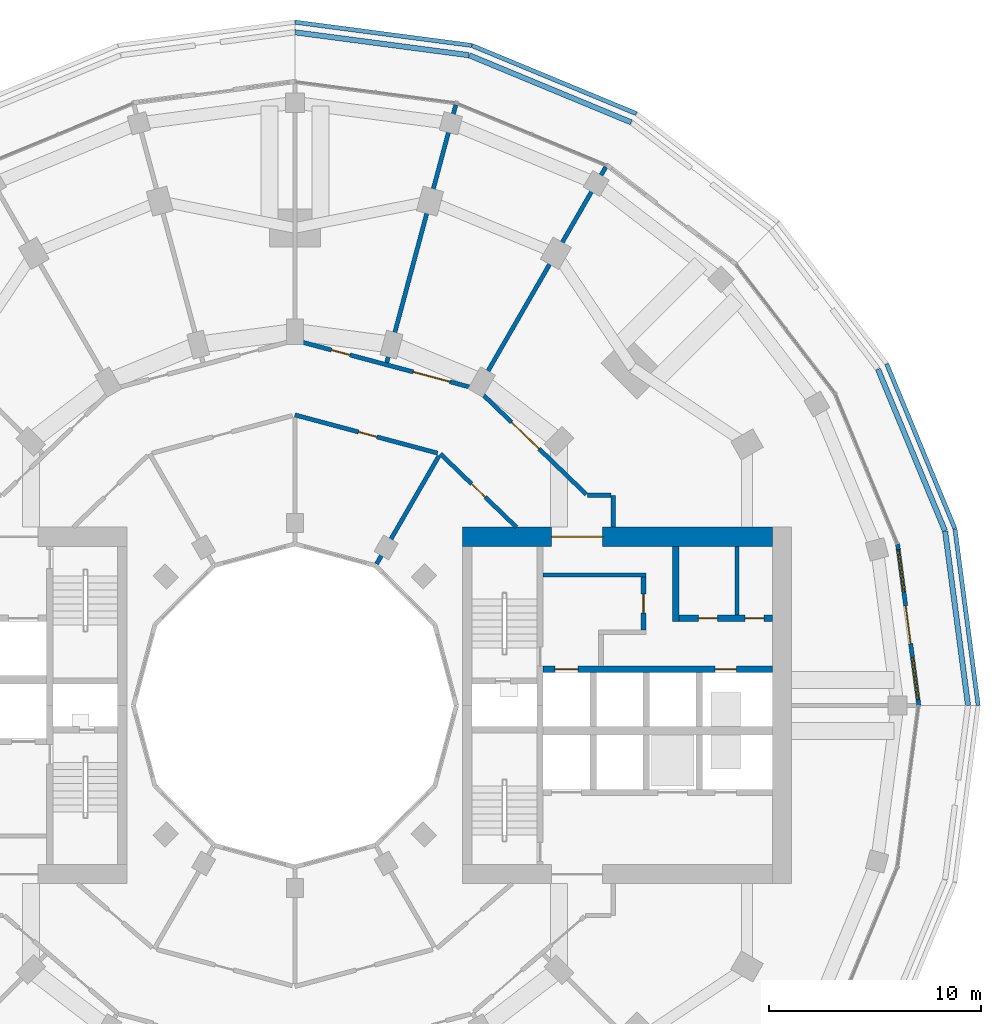
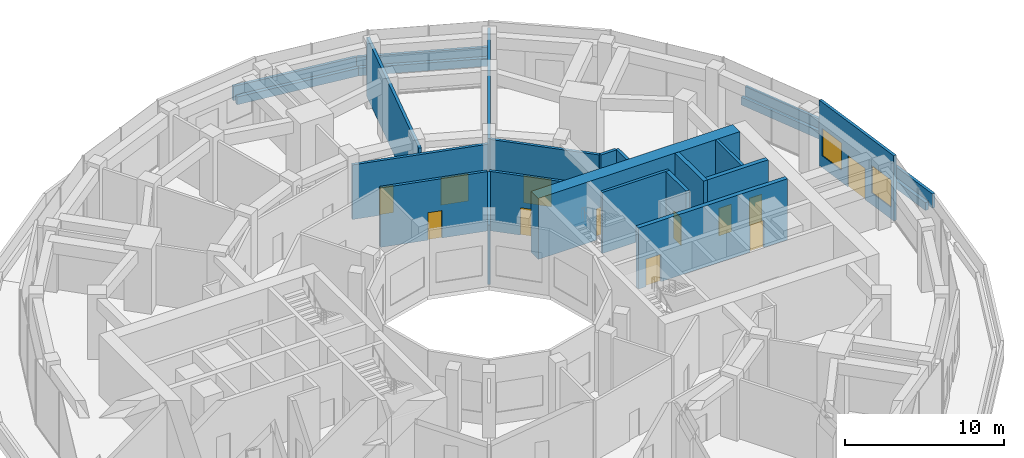
# One storey, part 16 of 19: 25 walls, 12 doors, 2 windows, 14 openings.
"""IFC4 building model written with IfcOpenShell, lengths in metres."""

import ifcopenshell
import ifcopenshell.guid

model = None  # the IFC model being written
_history = None  # IfcOwnerHistory: only IFC2X3 demands one
_inside = {}  # id of a spatial element -> (the spatial element, [elements in it])
_under = {}  # id of a project, library or spatial element -> (it, [spatial elements below it])
_declared = {}  # id of a project -> (the project, [libraries it declares])
_typed = {}  # id of a type object -> (the type object, [elements of that type])
_made_of = {}  # id of a material, layer set ... -> (it, [elements and type objects made of it])


def new_model(schema):
    """Start an empty IFC model of exactly this schema.

    Asked for "IFC4X3", IfcOpenShell would pick the latest addendum, in which some entities
    have other attributes; the version numbers below select the first issue.
    IFC2X3 requires an IfcOwnerHistory on every rooted entity: one is made here for all.
    """
    global model, _history
    if schema == "IFC4X3":
        model = ifcopenshell.file(schema_version=(4, 3, 0, 0))
    else:
        model = ifcopenshell.file(schema=schema)
    _inside.clear()
    _under.clear()
    _declared.clear()
    _typed.clear()
    _made_of.clear()
    _history = None
    if model.schema == "IFC2X3":
        org = make("IfcOrganization", Name="unknown")
        user = make(
            "IfcPersonAndOrganization",
            ThePerson=make("IfcPerson", FamilyName="unknown"),
            TheOrganization=org,
        )
        app = make(
            "IfcApplication",
            ApplicationDeveloper=org,
            Version="unknown",
            ApplicationFullName="unknown",
            ApplicationIdentifier="unknown",
        )
        _history = make(
            "IfcOwnerHistory",
            OwningUser=user,
            OwningApplication=app,
            ChangeAction="ADDED",
            CreationDate=0,
        )
    return model


def make(cls, **values):
    """One entity of the class cls with the attributes given. An attribute that is None is left unset."""
    return model.create_entity(
        cls, **{name: value for name, value in values.items() if value is not None}
    )


def rooted(cls, **values):
    """An entity with a GlobalId (a new one), such as an element, a storey or a relation."""
    return make(cls, GlobalId=ifcopenshell.guid.new(), OwnerHistory=_history, **values)


def si_unit(unit_type, name, prefix=None):
    """IfcSIUnit, for example si_unit("LENGTHUNIT", "METRE", prefix="MILLI")."""
    return make("IfcSIUnit", UnitType=unit_type, Prefix=prefix, Name=name)


def assignment(units):
    """IfcUnitAssignment: the units of a project."""
    return None if units is None else make("IfcUnitAssignment", Units=units)


def point(xyz):
    """IfcCartesianPoint."""
    return None if xyz is None else make("IfcCartesianPoint", Coordinates=xyz)


def direction(xyz):
    """IfcDirection."""
    return None if xyz is None else make("IfcDirection", DirectionRatios=xyz)


def frame(location, z_axis=None, x_axis=None):
    """IfcAxis2Placement3D, a coordinate frame: its origin and axes. An axis left out is left unset."""
    return make(
        "IfcAxis2Placement3D",
        Location=point(location),
        Axis=direction(z_axis),
        RefDirection=direction(x_axis),
    )


def frame_2d(location, x_axis=None):
    """IfcAxis2Placement2D, a coordinate frame in the plane: its origin and x axis."""
    return make(
        "IfcAxis2Placement2D", Location=point(location), RefDirection=direction(x_axis)
    )


def origin():
    """The frame at (0, 0, 0) with its axes left unset."""
    return frame((0.0, 0.0, 0.0))


def place(relative_to, where):
    """IfcLocalPlacement: puts the frame where relative to a parent placement (None: the world)."""
    return make(
        "IfcLocalPlacement", PlacementRelTo=relative_to, RelativePlacement=where
    )


def context(
    kind, dimensions, precision=None, world=None, true_north=None, identifier=None
):
    """IfcGeometricRepresentationContext, for example the 3D "Model" context."""
    return make(
        "IfcGeometricRepresentationContext",
        ContextIdentifier=identifier,
        ContextType=kind,
        CoordinateSpaceDimension=dimensions,
        Precision=precision,
        WorldCoordinateSystem=world,
        TrueNorth=true_north,
    )


def subcontext(parent, identifier, kind, view, scale=None):
    """IfcGeometricRepresentationSubContext, for example "Body" below "Model"."""
    return make(
        "IfcGeometricRepresentationSubContext",
        ContextIdentifier=identifier,
        ContextType=kind,
        ParentContext=parent,
        TargetScale=scale,
        TargetView=view,
    )


def project(units=None, contexts=None):
    """IfcProject with its units and contexts."""
    return rooted(
        "IfcProject",
        Name="project",
        RepresentationContexts=contexts,
        UnitsInContext=assignment(units),
    )


def spatial(cls, under=None, at=None, **own):
    """A site, building, storey or space (cls), placed at a placement, below another one or the project."""
    s = rooted(cls, ObjectPlacement=at, **own)
    if under is not None:
        _under.setdefault(under.id(), (under, []))[1].append(s)
    return s


def profile(cls, at=None, kind="AREA", **sizes):
    """A parametric profile (cls). Its sizes go by their IFC names, for example OverallWidth=200.0."""
    return make(cls, ProfileType=kind, Position=at, **sizes)


def rectangle(**sizes):
    """IfcRectangleProfileDef."""
    return profile("IfcRectangleProfileDef", **sizes)


def extrude(swept, where, along, depth):
    """IfcExtrudedAreaSolid: the profile swept, set in the frame where, extruded along a direction by depth."""
    return make(
        "IfcExtrudedAreaSolid",
        SweptArea=swept,
        Position=where,
        ExtrudedDirection=direction(along),
        Depth=depth,
    )


def shape(context_of_items, identifier, shape_type, items):
    """IfcShapeRepresentation: the items that make up one representation, for example the "Body"."""
    return make(
        "IfcShapeRepresentation",
        ContextOfItems=context_of_items,
        RepresentationIdentifier=identifier,
        RepresentationType=shape_type,
        Items=items,
    )


def material(Name=None, Category=None):
    """IfcMaterial."""
    return make("IfcMaterial", Name=Name, Category=Category)


def layer(
    of_material, thickness, ventilated=None, Name=None, Category=None, Priority=None
):
    """IfcMaterialLayer: one layer of a wall or slab, of a material (None: an air gap)."""
    return make(
        "IfcMaterialLayer",
        Material=of_material,
        LayerThickness=thickness,
        IsVentilated=ventilated,
        Name=Name,
        Category=Category,
        Priority=Priority,
    )


def layer_set(layers, Name=None):
    """IfcMaterialLayerSet."""
    return make("IfcMaterialLayerSet", MaterialLayers=layers, LayerSetName=Name)


def made_of(thing, what):
    """Note that an element or type object is made of a material, layer set ...; save() writes the relation."""
    if what is not None:
        _made_of.setdefault(what.id(), (what, []))[1].append(thing)
    return thing


def type_object(cls, material=None, **own):
    """A type object (cls), such as IfcWallType, which elements share."""
    return made_of(rooted(cls, **own), material)


def element(
    cls,
    number,
    at=None,
    inside=None,
    cuts=None,
    type_object=None,
    material=None,
    context=None,
    identifier="Body",
    shape_type=None,
    held_by="IfcProductDefinitionShape",
    body=None,
    shapes=None,
    **own,
):
    """One element of the class cls, such as IfcWall. Its Tag is "e" and its number.

    at: its placement. inside: the storey or other place that contains it. cuts: it is an
    opening in that element (IfcRelVoidsElement). A single representation is given by context,
    identifier, shape_type and body (its items); several are given by shapes. held_by: the class
    of the entity that holds the representations. save() writes the other relations.
    """
    e = rooted(cls, Tag="e%d" % number, ObjectPlacement=at, **own)
    if body is not None:
        shapes = [shape(context, identifier, shape_type, body)]
    if shapes is not None:
        e.Representation = make(held_by, Representations=shapes)
    if inside is not None:
        _inside.setdefault(inside.id(), (inside, []))[1].append(e)
    if cuts is not None:
        rooted(
            "IfcRelVoidsElement", RelatingBuildingElement=cuts, RelatedOpeningElement=e
        )
    if type_object is not None:
        _typed.setdefault(type_object.id(), (type_object, []))[1].append(e)
    return made_of(e, material)


def fill(opening, filler):
    """IfcRelFillsElement: the door or window that sits in an opening."""
    return rooted(
        "IfcRelFillsElement",
        RelatingOpeningElement=opening,
        RelatedBuildingElement=filler,
    )


def aggregate(whole, parts):
    """IfcRelAggregates: a whole, such as a stair, and the parts it consists of."""
    return rooted("IfcRelAggregates", RelatingObject=whole, RelatedObjects=parts)


def save(model, path):
    """Write the relations noted so far, then the file.

    IfcRelAggregates (storeys below a building ...), IfcRelContainedInSpatialStructure (elements
    in a storey), IfcRelDefinesByType, IfcRelAssociatesMaterial and IfcRelDeclares: one each for
    every whole, place, type object, material and project.
    """
    for whole, parts in _under.values():
        aggregate(whole, parts)
    for where, things in _inside.values():
        rooted(
            "IfcRelContainedInSpatialStructure",
            RelatedElements=things,
            RelatingStructure=where,
        )
    for kind, things in _typed.values():
        rooted("IfcRelDefinesByType", RelatedObjects=things, RelatingType=kind)
    for what, things in _made_of.values():
        rooted("IfcRelAssociatesMaterial", RelatedObjects=things, RelatingMaterial=what)
    for by, libraries in _declared.values():
        rooted("IfcRelDeclares", RelatingContext=by, RelatedDefinitions=libraries)
    model.write(path)


model = new_model("IFC4")

# Units and contexts
model_context = context("Model", 3, precision=1e-05, world=origin(), true_north=direction((0.0, 1.0)))
body_context = subcontext(model_context, "Body", "Model", "MODEL_VIEW")
ifc_project = project(units=[si_unit("LENGTHUNIT", "METRE"), si_unit("AREAUNIT", "SQUARE_METRE"), si_unit("VOLUMEUNIT", "CUBIC_METRE"), si_unit("PLANEANGLEUNIT", "RADIAN"), si_unit("MASSUNIT", "GRAM", prefix="KILO")], contexts=[model_context])

# Site, building, storey
site_placement = place(None, origin())
site = spatial("IfcSite", under=ifc_project, at=site_placement, CompositionType="ELEMENT")
building_placement = place(site_placement, origin())
building = spatial("IfcBuilding", under=site, at=building_placement, Name="Torre Brocal", CompositionType="ELEMENT")
storey_placement = place(building_placement, frame((0.0, 0.0, 23.800048828125)))
storey = spatial("IfcBuildingStorey", under=building, at=storey_placement, Name="L04", CompositionType="ELEMENT", Elevation=23.800048828125)

# Walls
ifc_material_1 = material(Name="Masonry block", Category="masonry")
ifc_layer_1 = layer(ifc_material_1, 0.199951171875)
ifc_layer_set_1 = layer_set([ifc_layer_1], Name="Masonry block")
wall_type_1 = type_object("IfcWallType", Name="CORE PARTITION 200", PredefinedType="PARTITIONING", material=ifc_layer_set_1)
wall_1_placement = place(storey_placement, frame((100.827880859375, 79.25, 0.0), z_axis=(0.0, 0.0, 1.0), x_axis=(0.0, 1.0, 0.0)))
element("IfcWall", 1, at=wall_1_placement, inside=storey, type_object=wall_type_1, Name="Wall CP200", PredefinedType="PARTITIONING", context=body_context, shape_type="SweptSolid", body=[
    extrude(rectangle(XDim=3.25, YDim=0.199951171875, at=frame_2d((1.625, 0.0))), origin(), (0.0, 0.0, 1.0), 4.679931640625),
])
ifc_material_2 = material(Name="Concrete C80", Category="concrete")
ifc_layer_2 = layer(ifc_material_2, 0.199951171875)
ifc_layer_set_2 = layer_set([ifc_layer_2], Name="Concrete C80")
wall_type_2 = type_object("IfcWallType", Name="CORE WALL 200 C80", PredefinedType="SHEAR", material=ifc_layer_set_2)
wall_2_placement = place(storey_placement, frame((91.699951171875, 81.14990234375, 0.0), z_axis=(0.0, 0.0, 1.0), x_axis=(1.0, 0.0, 0.0)))
element("IfcWall", 2, at=wall_2_placement, inside=storey, type_object=wall_type_2, Name="Wall CW200-80", PredefinedType="SHEAR", context=body_context, shape_type="SweptSolid", body=[
    extrude(rectangle(XDim=4.85009765625, YDim=0.199951171875, at=frame_2d((2.425048828125, 0.0))), origin(), (0.0, 0.0, 1.0), 4.679931640625),
])

# Wall, opening, door
ifc_material_3 = material(Name="Concrete C80", Category="concrete")
ifc_layer_3 = layer(ifc_material_3, 0.25)
ifc_layer_set_3 = layer_set([ifc_layer_3], Name="Concrete C80")
wall_type_3 = type_object("IfcWallType", Name="CORE WALL 250 C80", PredefinedType="SHEAR", material=ifc_layer_set_3)
wall_3_placement = place(storey_placement, frame((96.425048828125, 78.550048828125, 0.0), z_axis=(0.0, 0.0, 1.0), x_axis=(0.0, 1.0, 0.0)))
wall_3 = element("IfcWall", 3, at=wall_3_placement, inside=storey, type_object=wall_type_3, Name="Wall CW250-80", PredefinedType="SHEAR", context=body_context, shape_type="SweptSolid", body=[
    extrude(rectangle(XDim=2.5, YDim=0.25, at=frame_2d((1.25, 0.0))), origin(), (0.0, 0.0, 1.0), 4.679931640625),
])
opening_1_placement = place(wall_3_placement, frame((0.800048828125, 0.0, 0.0)))
opening_1 = element("IfcOpeningElement", 4, at=opening_1_placement, cuts=wall_3, Name="Opening E-D15", PredefinedType="OPENING", context=body_context, shape_type="SweptSolid", body=[
    extrude(rectangle(XDim=0.89990234375, YDim=2.10009765625, at=frame_2d((0.449951171875, 1.050048828125))), frame((0.0, 0.135009765625, 0.0), z_axis=(0.0, -1.0, 0.0), x_axis=(1.0, 0.0, 0.0)), (0.0, 0.0, 1.0), 0.27001953125),
])
ifc_material_4 = material(Name="Steel A653", Category="steel")
door_type_1 = type_object("IfcDoorType", Name="LOBBY DOOR FD120 900X2100", OperationType="SINGLE_SWING_RIGHT", PredefinedType="DOOR", material=ifc_material_4)
door_1_placement = place(opening_1_placement, origin())
door_1 = element("IfcDoor", 5, at=door_1_placement, inside=storey, type_object=door_type_1, Name="Door E-D15", OperationType="SINGLE_SWING_LEFT", OverallHeight=2.10009765625, OverallWidth=0.89990234375, PredefinedType="DOOR", context=body_context, shape_type="SweptSolid", body=[
    extrude(rectangle(XDim=0.89990234375, YDim=2.10009765625, at=frame_2d((0.449951171875, 1.050048828125))), frame((0.0, 0.02490234375, 0.0), z_axis=(0.0, -1.0, 0.0), x_axis=(1.0, 0.0, 0.0)), (0.0, 0.0, 1.0), 0.050048828125),
])
fill(opening_1, door_1)

# Wall, openings, doors
ifc_material_5 = material(Name="Concrete C80", Category="concrete")
ifc_layer_4 = layer(ifc_material_5, 0.300048828125)
ifc_layer_set_4 = layer_set([ifc_layer_4], Name="Concrete C80")
wall_type_4 = type_object("IfcWallType", Name="CORE WALL 300 C80", PredefinedType="SHEAR", material=ifc_layer_set_4)
wall_4_placement = place(storey_placement, frame((91.699951171875, 76.699951171875, 0.0), z_axis=(0.0, 0.0, 1.0), x_axis=(1.0, 0.0, 0.0)))
wall_4 = element("IfcWall", 6, at=wall_4_placement, inside=storey, type_object=wall_type_4, Name="Wall CW300-80", PredefinedType="SHEAR", context=body_context, shape_type="SweptSolid", body=[
    extrude(rectangle(XDim=10.800048828125, YDim=0.300048828125, at=frame_2d((5.39990234375, 0.0))), origin(), (0.0, 0.0, 1.0), 4.679931640625),
])
opening_2_placement = place(wall_4_placement, frame((0.550048828125, 0.0, 0.0)))
opening_2 = element("IfcOpeningElement", 7, at=opening_2_placement, cuts=wall_4, Name="Opening LD", PredefinedType="OPENING", context=body_context, shape_type="SweptSolid", body=[
    extrude(rectangle(XDim=1.10009765625, YDim=2.10009765625, at=frame_2d((0.550048828125, 1.050048828125))), frame((0.0, 0.159912109375, 0.0), z_axis=(0.0, -1.0, 0.0), x_axis=(1.0, 0.0, 0.0)), (0.0, 0.0, 1.0), 0.320068359375),
])
opening_3_placement = place(wall_4_placement, frame((8.10009765625, 0.0, 0.0)))
opening_3 = element("IfcOpeningElement", 8, at=opening_3_placement, cuts=wall_4, Name="Opening LD10", PredefinedType="OPENING", context=body_context, shape_type="SweptSolid", body=[
    extrude(rectangle(XDim=1.0, YDim=2.10009765625, at=frame_2d((0.5, 1.050048828125))), frame((0.0, 0.159912109375, 0.0), z_axis=(0.0, -1.0, 0.0), x_axis=(1.0, 0.0, 0.0)), (0.0, 0.0, 1.0), 0.320068359375),
])
ifc_material_6 = material(Name="Stainless steel AISI 316", Category="steel")
door_type_2 = type_object("IfcDoorType", Name="LIFT LANDING DOOR 1000X2100", OperationType="DOUBLE_DOOR_SLIDING", PredefinedType="DOOR", material=ifc_material_6)
door_2_placement = place(opening_3_placement, origin())
door_2 = element("IfcDoor", 9, at=door_2_placement, inside=storey, type_object=door_type_2, Name="Door LD10", OperationType="DOUBLE_DOOR_SLIDING", OverallHeight=2.10009765625, OverallWidth=1.0, PredefinedType="DOOR", context=body_context, shape_type="SweptSolid", body=[
    extrude(rectangle(XDim=1.0, YDim=2.10009765625, at=frame_2d((0.5, 1.050048828125))), frame((0.0, 0.02490234375, 0.0), z_axis=(0.0, -1.0, 0.0), x_axis=(1.0, 0.0, 0.0)), (0.0, 0.0, 1.0), 0.050048828125),
])
fill(opening_3, door_2)
ifc_material_7 = material(Name="Stainless steel AISI 316", Category="steel")
door_type_3 = type_object("IfcDoorType", Name="LIFT LANDING DOOR 1100X2100", OperationType="DOUBLE_DOOR_SLIDING", PredefinedType="DOOR", material=ifc_material_7)
door_3_placement = place(opening_2_placement, origin())
door_3 = element("IfcDoor", 10, at=door_3_placement, inside=storey, type_object=door_type_3, Name="Door LD", OperationType="DOUBLE_DOOR_SLIDING", OverallHeight=2.10009765625, OverallWidth=1.10009765625, PredefinedType="DOOR", context=body_context, shape_type="SweptSolid", body=[
    extrude(rectangle(XDim=1.10009765625, YDim=2.10009765625, at=frame_2d((0.550048828125, 1.050048828125))), frame((0.0, 0.02490234375, 0.0), z_axis=(0.0, -1.0, 0.0), x_axis=(1.0, 0.0, 0.0)), (0.0, 0.0, 1.0), 0.050048828125),
])
fill(opening_2, door_3)

# Wall
wall_5_placement = place(storey_placement, frame((97.949951171875, 78.949951171875, 0.0), z_axis=(0.0, 0.0, 1.0), x_axis=(0.0, 1.0, 0.0)))
element("IfcWall", 11, at=wall_5_placement, inside=storey, type_object=wall_type_4, Name="Wall CW300-80", PredefinedType="SHEAR", context=body_context, shape_type="SweptSolid", body=[
    extrude(rectangle(XDim=3.550048828125, YDim=0.300048828125, at=frame_2d((1.77490234375, 0.0))), origin(), (0.0, 0.0, 1.0), 4.679931640625),
])

# Wall, openings, doors
wall_6_placement = place(storey_placement, frame((98.10009765625, 79.10009765625, 0.0), z_axis=(0.0, 0.0, 1.0), x_axis=(1.0, 0.0, 0.0)))
wall_6 = element("IfcWall", 12, at=wall_6_placement, inside=storey, type_object=wall_type_4, Name="Wall CW300-80", PredefinedType="SHEAR", context=body_context, shape_type="SweptSolid", body=[
    extrude(rectangle(XDim=4.39990234375, YDim=0.300048828125, at=frame_2d((2.199951171875, 0.0))), origin(), (0.0, 0.0, 1.0), 4.679931640625),
])
opening_4_placement = place(wall_6_placement, frame((0.9140625, 0.0, 0.0)))
opening_4 = element("IfcOpeningElement", 13, at=opening_4_placement, cuts=wall_6, Name="Opening E-D05", PredefinedType="OPENING", context=body_context, shape_type="SweptSolid", body=[
    extrude(rectangle(XDim=0.89990234375, YDim=2.10009765625, at=frame_2d((0.449951171875, 1.050048828125))), frame((0.0, 0.159912109375, 0.0), z_axis=(0.0, -1.0, 0.0), x_axis=(1.0, 0.0, 0.0)), (0.0, 0.0, 1.0), 0.320068359375),
])
opening_5_placement = place(wall_6_placement, frame((3.114013671875, 0.0, 0.0)))
opening_5 = element("IfcOpeningElement", 14, at=opening_5_placement, cuts=wall_6, Name="Opening E-D06", PredefinedType="OPENING", context=body_context, shape_type="SweptSolid", body=[
    extrude(rectangle(XDim=0.89990234375, YDim=2.10009765625, at=frame_2d((0.449951171875, 1.050048828125))), frame((0.0, 0.159912109375, 0.0), z_axis=(0.0, -1.0, 0.0), x_axis=(1.0, 0.0, 0.0)), (0.0, 0.0, 1.0), 0.320068359375),
])
ifc_material_8 = material(Name="Steel A653", Category="steel")
door_type_4 = type_object("IfcDoorType", Name="ROOM DOOR FD30S 900X2100", OperationType="SINGLE_SWING_LEFT", PredefinedType="DOOR", material=ifc_material_8)
door_4_placement = place(opening_4_placement, origin())
door_4 = element("IfcDoor", 15, at=door_4_placement, inside=storey, type_object=door_type_4, Name="Door E-D05", OperationType="SINGLE_SWING_RIGHT", OverallHeight=2.10009765625, OverallWidth=0.89990234375, PredefinedType="DOOR", context=body_context, shape_type="SweptSolid", body=[
    extrude(rectangle(XDim=0.89990234375, YDim=2.10009765625, at=frame_2d((0.449951171875, 1.050048828125))), frame((0.0, 0.02490234375, 0.0), z_axis=(0.0, -1.0, 0.0), x_axis=(1.0, 0.0, 0.0)), (0.0, 0.0, 1.0), 0.050048828125),
])
fill(opening_4, door_4)
door_5_placement = place(opening_5_placement, origin())
door_5 = element("IfcDoor", 16, at=door_5_placement, inside=storey, type_object=door_type_4, Name="Door E-D06", OperationType="SINGLE_SWING_LEFT", OverallHeight=2.10009765625, OverallWidth=0.89990234375, PredefinedType="DOOR", context=body_context, shape_type="SweptSolid", body=[
    extrude(rectangle(XDim=0.89990234375, YDim=2.10009765625, at=frame_2d((0.449951171875, 1.050048828125))), frame((0.0, 0.02490234375, 0.0), z_axis=(0.0, -1.0, 0.0), x_axis=(1.0, 0.0, 0.0)), (0.0, 0.0, 1.0), 0.050048828125),
])
fill(opening_5, door_5)

# Wall, opening, door
ifc_material_9 = material(Name="Concrete C80", Category="concrete")
ifc_layer_5 = layer(ifc_material_9, 0.89990234375)
ifc_layer_set_5 = layer_set([ifc_layer_5], Name="Concrete C80")
wall_type_5 = type_object("IfcWallType", Name="CORE WALL 900 C80", PredefinedType="SHEAR", material=ifc_layer_set_5)
wall_7_placement = place(storey_placement, frame((87.89990234375, 82.949951171875, 0.0), z_axis=(0.0, 0.0, 1.0), x_axis=(1.0, 0.0, 0.0)))
wall_7 = element("IfcWall", 17, at=wall_7_placement, inside=storey, type_object=wall_type_5, Name="Wall CW900-80", PredefinedType="SHEAR", context=body_context, shape_type="SweptSolid", body=[
    extrude(rectangle(XDim=14.60009765625, YDim=0.89990234375, at=frame_2d((7.300048828125, 0.0))), origin(), (0.0, 0.0, 1.0), 4.679931640625),
])
opening_6_placement = place(wall_7_placement, frame((4.199951171875, 0.0, 0.0)))
opening_6 = element("IfcOpeningElement", 18, at=opening_6_placement, cuts=wall_7, Name="Opening E-D24", PredefinedType="OPENING", context=body_context, shape_type="SweptSolid", body=[
    extrude(rectangle(XDim=2.39990234375, YDim=2.39990234375, at=frame_2d((1.199951171875, 1.199951171875))), frame((0.0, 0.4599609375, 0.0), z_axis=(0.0, -1.0, 0.0), x_axis=(1.0, 0.0, 0.0)), (0.0, 0.0, 1.0), 0.919921875),
])
ifc_material_10 = material(Name="Steel A653", Category="steel")
door_type_5 = type_object("IfcDoorType", Name="DOUBLE FIRE DOOR FD90 2400X2400", OperationType="DOUBLE_DOOR_SINGLE_SWING", PredefinedType="DOOR", material=ifc_material_10)
door_6_placement = place(opening_6_placement, frame((2.39990234375, 0.0, 0.0), z_axis=(0.0, 0.0, 1.0), x_axis=(-1.0, 0.0, 0.0)))
door_6 = element("IfcDoor", 19, at=door_6_placement, inside=storey, type_object=door_type_5, Name="Door E-D24", OperationType="DOUBLE_DOOR_SINGLE_SWING", OverallHeight=2.39990234375, OverallWidth=2.39990234375, PredefinedType="DOOR", context=body_context, shape_type="SweptSolid", body=[
    extrude(rectangle(XDim=2.39990234375, YDim=2.39990234375, at=frame_2d((1.199951171875, 1.199951171875))), frame((0.0, 0.02490234375, 0.0), z_axis=(0.0, -1.0, 0.0), x_axis=(1.0, 0.0, 0.0)), (0.0, 0.0, 1.0), 0.050048828125),
])
fill(opening_6, door_6)

# Wall, openings, windows, door
ifc_material_11 = material(Name="Concrete C40", Category="concrete")
ifc_layer_6 = layer(ifc_material_11, 0.199951171875)
ifc_layer_set_6 = layer_set([ifc_layer_6], Name="Concrete C40")
wall_type_6 = type_object("IfcWallType", Name="EXTERNAL WALL 200", PredefinedType="NOTDEFINED", material=ifc_layer_set_6)
wall_8_placement = place(storey_placement, frame((109.399169921875, 75.0, 0.0), z_axis=(0.0, 0.0, 1.0), x_axis=(-0.130519519698, 0.991445739805, 0.0)))
wall_8 = element("IfcWall", 20, at=wall_8_placement, inside=storey, type_object=wall_type_6, Name="EXTERNAL WALL", PredefinedType="NOTDEFINED", context=body_context, shape_type="SweptSolid", body=[
    extrude(rectangle(XDim=7.6748046875, YDim=0.199951171875, at=frame_2d((3.83740234375, 0.0))), origin(), (0.0, 0.0, 1.0), 5.0),
])
opening_7_placement = place(wall_8_placement, frame((0.279052734375, 0.0, 0.89990234375)))
opening_7 = element("IfcOpeningElement", 21, at=opening_7_placement, cuts=wall_8, Name="Opening W8", PredefinedType="OPENING", context=body_context, shape_type="SweptSolid", body=[
    extrude(rectangle(XDim=2.0, YDim=2.10009765625, at=frame_2d((1.0, 1.050048828125))), frame((0.0, 0.10986328125, 0.0), z_axis=(0.0, -1.0, 0.0), x_axis=(1.0, 0.0, 0.0)), (0.0, 0.0, 1.0), 0.219970703125),
])
opening_8_placement = place(wall_8_placement, frame((2.937255859375, 0.0, 0.0)))
opening_8 = element("IfcOpeningElement", 22, at=opening_8_placement, cuts=wall_8, Name="Opening L04-E01", PredefinedType="OPENING", context=body_context, shape_type="SweptSolid", body=[
    extrude(rectangle(XDim=1.800048828125, YDim=2.39990234375, at=frame_2d((0.89990234375, 1.199951171875))), frame((0.0, 0.10986328125, 0.0), z_axis=(0.0, -1.0, 0.0), x_axis=(1.0, 0.0, 0.0)), (0.0, 0.0, 1.0), 0.219970703125),
])
opening_9_placement = place(wall_8_placement, frame((5.3955078125, 0.0, 0.89990234375)))
opening_9 = element("IfcOpeningElement", 23, at=opening_9_placement, cuts=wall_8, Name="Opening W8", PredefinedType="OPENING", context=body_context, shape_type="SweptSolid", body=[
    extrude(rectangle(XDim=2.0, YDim=2.10009765625, at=frame_2d((1.0, 1.050048828125))), frame((0.0, 0.10986328125, 0.0), z_axis=(0.0, -1.0, 0.0), x_axis=(1.0, 0.0, 0.0)), (0.0, 0.0, 1.0), 0.219970703125),
])
ifc_material_12 = material(Name="Aluminium and glass", Category="aluminium")
window_type = type_object("IfcWindowType", Name="PODIUM WINDOW 2000X2100", PartitioningType="SINGLE_PANEL", PredefinedType="WINDOW", material=ifc_material_12)
window_1_placement = place(opening_7_placement, origin())
window_1 = element("IfcWindow", 24, at=window_1_placement, inside=storey, type_object=window_type, Name="PODIUM WINDOW 2000X2100", OverallHeight=2.10009765625, OverallWidth=2.0, PartitioningType="SINGLE_PANEL", PredefinedType="WINDOW", context=body_context, shape_type="SweptSolid", body=[
    extrude(rectangle(XDim=2.0, YDim=2.10009765625, at=frame_2d((1.0, 1.050048828125))), frame((0.0, 0.030029296875, 0.0), z_axis=(0.0, -1.0, 0.0), x_axis=(1.0, 0.0, 0.0)), (0.0, 0.0, 1.0), 0.06005859375),
])
fill(opening_7, window_1)
window_2_placement = place(opening_9_placement, origin())
window_2 = element("IfcWindow", 25, at=window_2_placement, inside=storey, type_object=window_type, Name="PODIUM WINDOW 2000X2100", OverallHeight=2.10009765625, OverallWidth=2.0, PartitioningType="SINGLE_PANEL", PredefinedType="WINDOW", context=body_context, shape_type="SweptSolid", body=[
    extrude(rectangle(XDim=2.0, YDim=2.10009765625, at=frame_2d((1.0, 1.050048828125))), frame((0.0, 0.030029296875, 0.0), z_axis=(0.0, -1.0, 0.0), x_axis=(1.0, 0.0, 0.0)), (0.0, 0.0, 1.0), 0.06005859375),
])
fill(opening_9, window_2)
ifc_material_13 = material(Name="Aluminium and glass", Category="aluminium")
door_type_6 = type_object("IfcDoorType", Name="TERRACE DOUBLE DOOR 1800X2400", OperationType="DOUBLE_DOOR_SINGLE_SWING", PredefinedType="DOOR", material=ifc_material_13)
door_7_placement = place(opening_8_placement, frame((1.800048828125, 0.0, 0.0), z_axis=(0.0, 0.0, 1.0), x_axis=(-1.0, 0.0, 0.0)))
door_7 = element("IfcDoor", 26, at=door_7_placement, inside=storey, type_object=door_type_6, Name="DOOR L04-E01", OperationType="DOUBLE_DOOR_SINGLE_SWING", OverallHeight=2.39990234375, OverallWidth=1.800048828125, PredefinedType="DOOR", context=body_context, shape_type="SweptSolid", body=[
    extrude(rectangle(XDim=1.800048828125, YDim=2.39990234375, at=frame_2d((0.89990234375, 1.199951171875))), frame((0.0, 0.02490234375, 0.0), z_axis=(0.0, -1.0, 0.0), x_axis=(1.0, 0.0, 0.0)), (0.0, 0.0, 1.0), 0.050048828125),
])
fill(opening_8, door_7)

# Walls
ifc_material_14 = material(Name="Concrete C40", Category="concrete")
ifc_layer_7 = layer(ifc_material_14, 0.199951171875)
ifc_layer_set_7 = layer_set([ifc_layer_7], Name="Concrete C40")
wall_type_7 = type_object("IfcWallType", Name="PARAPET WALL 200 THICK 1100 HIGH 4", PredefinedType="PARAPET", material=ifc_layer_set_7)
wall_9_placement = place(storey_placement, frame((80.012939453125, 107.19580078125, 0.0), z_axis=(0.0, 0.0, 1.0), x_axis=(0.991443879237, -0.13053365207, 0.0)))
element("IfcWall", 27, at=wall_9_placement, inside=storey, type_object=wall_type_7, Name="PARAPET WALL 19", PredefinedType="PARAPET", context=body_context, shape_type="SweptSolid", body=[
    extrude(rectangle(XDim=8.379150390625, YDim=0.199951171875, at=frame_2d((4.189453125, 0.0))), origin(), (0.0, 0.0, 1.0), 1.099853515625),
])
for number, where, z_axis, x_axis, name in (
    (28, (88.345458984375, 106.09521484375, 0.0), (0.0, 0.0, 1.0), (0.923884368379, -0.382671757338, 0.0), "PARAPET WALL 20"),
    (29, (107.888916015625, 91.08642578125, 0.0), (0.0, 0.0, 1.0), (0.382671757338, -0.923884368379, 0.0), "PARAPET WALL 23"),
):
    element("IfcWall", number, at=place(storey_placement, frame(where, z_axis=z_axis, x_axis=x_axis)), inside=storey, type_object=wall_type_7, Name=name, PredefinedType="PARAPET", context=body_context, shape_type="SweptSolid", body=[
        extrude(rectangle(XDim=8.378662109375, YDim=0.199951171875, at=frame_2d((4.189453125, 0.0))), origin(), (0.0, 0.0, 1.0), 1.099853515625),
    ])
wall_10_placement = place(storey_placement, frame((111.10205078125, 83.3203125, 0.0), z_axis=(0.0, 0.0, 1.0), x_axis=(0.130534281522, -0.991443796363, 0.0)))
element("IfcWall", 30, at=wall_10_placement, inside=storey, type_object=wall_type_7, Name="PARAPET WALL 24", PredefinedType="PARAPET", context=body_context, shape_type="SweptSolid", body=[
    extrude(rectangle(XDim=8.39208984375, YDim=0.199951171875, at=frame_2d((4.196044921875, 0.0))), origin(), (0.0, 0.0, 1.0), 1.099853515625),
])

# Wall, opening, door
ifc_material_15 = material(Name="Gypsum board", Category="Gypsum")
ifc_layer_8 = layer(ifc_material_15, 0.199951171875)
ifc_layer_set_8 = layer_set([ifc_layer_8], Name="Gypsum board")
wall_type_8 = type_object("IfcWallType", Name="PARTITION 200 EI60", PredefinedType="PARTITIONING", material=ifc_layer_set_8)
wall_11_placement = place(storey_placement, frame((80.0, 88.68994140625, 0.0), z_axis=(0.0, 0.0, 1.0), x_axis=(0.965929896633, -0.258803853893, 0.0)))
wall_11 = element("IfcWall", 31, at=wall_11_placement, inside=storey, type_object=wall_type_8, Name="CORRIDOR WALL", PredefinedType="PARTITIONING", context=body_context, shape_type="SweptSolid", body=[
    extrude(rectangle(XDim=6.962890625, YDim=0.199951171875, at=frame_2d((3.4814453125, 0.0))), origin(), (0.0, 0.0, 1.0), 4.550048828125),
])
opening_10_placement = place(wall_11_placement, frame((3.1015625, 0.0, 0.0)))
opening_10 = element("IfcOpeningElement", 32, at=opening_10_placement, cuts=wall_11, Name="Opening PD4-D09", PredefinedType="OPENING", context=body_context, shape_type="SweptSolid", body=[
    extrude(rectangle(XDim=0.89990234375, YDim=2.10009765625, at=frame_2d((0.449951171875, 1.050048828125))), frame((0.0, 0.10986328125, 0.0), z_axis=(0.0, -1.0, 0.0), x_axis=(1.0, 0.0, 0.0)), (0.0, 0.0, 1.0), 0.219970703125),
])
ifc_material_16 = material(Name="Timber", Category="wood")
door_type_7 = type_object("IfcDoorType", Name="ROOM DOOR 900X2100", OperationType="SINGLE_SWING_LEFT", PredefinedType="DOOR", material=ifc_material_16)
door_8_placement = place(opening_10_placement, frame((0.89990234375, 0.0, 0.0), z_axis=(0.0, 0.0, 1.0), x_axis=(-1.0, 0.0, 0.0)))
door_8 = element("IfcDoor", 33, at=door_8_placement, inside=storey, type_object=door_type_7, Name="PD4-D09", OperationType="SINGLE_SWING_LEFT", OverallHeight=2.10009765625, OverallWidth=0.89990234375, PredefinedType="DOOR", context=body_context, shape_type="SweptSolid", body=[
    extrude(rectangle(XDim=0.89990234375, YDim=2.10009765625, at=frame_2d((0.449951171875, 1.050048828125))), frame((0.0, 0.02490234375, 0.0), z_axis=(0.0, -1.0, 0.0), x_axis=(1.0, 0.0, 0.0)), (0.0, 0.0, 1.0), 0.050048828125),
])
fill(opening_10, door_8)

# Walls
wall_12_placement = place(storey_placement, frame((83.849365234375, 81.666748046875, 0.0), z_axis=(0.0, 0.0, 1.0), x_axis=(0.500029580911, 0.866008324564, 0.0)))
element("IfcWall", 34, at=wall_12_placement, inside=storey, type_object=wall_type_8, Name="SERVICE ROOM WALL", PredefinedType="PARTITIONING", context=body_context, shape_type="SweptSolid", body=[
    extrude(rectangle(XDim=5.871826171875, YDim=0.199951171875, at=frame_2d((2.93603515625, 0.0))), origin(), (0.0, 0.0, 1.0), 4.550048828125),
])
wall_13_placement = place(storey_placement, frame((84.3291015625, 91.1533203125, 0.0), z_axis=(0.0, 0.0, 1.0), x_axis=(0.25885157307, 0.965917109859, 0.0)))
element("IfcWall", 35, at=wall_13_placement, inside=storey, type_object=wall_type_8, Name="PARTY PARTITION", PredefinedType="PARTITIONING", context=body_context, shape_type="SweptSolid", body=[
    extrude(rectangle(XDim=12.57421875, YDim=0.199951171875, at=frame_2d((6.287109375, 0.0))), origin(), (0.0, 0.0, 1.0), 4.550048828125),
])

# Wall, opening, door
wall_14_placement = place(storey_placement, frame((86.861083984375, 86.85205078125, 0.0), z_axis=(0.0, 0.0, 1.0), x_axis=(0.719448855188, -0.694545423114, 0.0)))
wall_14 = element("IfcWall", 36, at=wall_14_placement, inside=storey, type_object=wall_type_8, Name="CORRIDOR WALL", PredefinedType="PARTITIONING", context=body_context, shape_type="SweptSolid", body=[
    extrude(rectangle(XDim=4.970458984375, YDim=0.199951171875, at=frame_2d((2.4853515625, 0.0))), origin(), (0.0, 0.0, 1.0), 4.550048828125),
])
opening_11_placement = place(wall_14_placement, frame((2.03515625, 0.0, 0.0)))
opening_11 = element("IfcOpeningElement", 37, at=opening_11_placement, cuts=wall_14, Name="Opening PD4-D08", PredefinedType="OPENING", context=body_context, shape_type="SweptSolid", body=[
    extrude(rectangle(XDim=0.89990234375, YDim=2.10009765625, at=frame_2d((0.449951171875, 1.050048828125))), frame((0.0, 0.10986328125, 0.0), z_axis=(0.0, -1.0, 0.0), x_axis=(1.0, 0.0, 0.0)), (0.0, 0.0, 1.0), 0.219970703125),
])
door_9_placement = place(opening_11_placement, frame((0.89990234375, 0.0, 0.0), z_axis=(0.0, 0.0, 1.0), x_axis=(-1.0, 0.0, 0.0)))
door_9 = element("IfcDoor", 38, at=door_9_placement, inside=storey, type_object=door_type_7, Name="PD4-D08", OperationType="SINGLE_SWING_LEFT", OverallHeight=2.10009765625, OverallWidth=0.89990234375, PredefinedType="DOOR", context=body_context, shape_type="SweptSolid", body=[
    extrude(rectangle(XDim=0.89990234375, YDim=2.10009765625, at=frame_2d((0.449951171875, 1.050048828125))), frame((0.0, 0.02490234375, 0.0), z_axis=(0.0, -1.0, 0.0), x_axis=(1.0, 0.0, 0.0)), (0.0, 0.0, 1.0), 0.050048828125),
])
fill(opening_11, door_9)

wall_15_placement = place(storey_placement, frame((88.668701171875, 89.83203125, 0.0), z_axis=(0.0, 0.0, 1.0), x_axis=(0.719476119958, -0.694517179637, 0.0)))
wall_15 = element("IfcWall", 39, at=wall_15_placement, inside=storey, type_object=wall_type_8, Name="CORRIDOR WALL", PredefinedType="PARTITIONING", context=body_context, shape_type="SweptSolid", body=[
    extrude(rectangle(XDim=7.042724609375, YDim=0.199951171875, at=frame_2d((3.521484375, 0.0))), origin(), (0.0, 0.0, 1.0), 4.550048828125),
])
opening_12_placement = place(wall_15_placement, frame((2.14599609375, 0.0, 0.0)))
opening_12 = element("IfcOpeningElement", 40, at=opening_12_placement, cuts=wall_15, Name="Opening PD4-D01", PredefinedType="OPENING", context=body_context, shape_type="SweptSolid", body=[
    extrude(rectangle(XDim=1.800048828125, YDim=2.10009765625, at=frame_2d((0.89990234375, 1.050048828125))), frame((0.0, 0.10986328125, 0.0), z_axis=(0.0, -1.0, 0.0), x_axis=(1.0, 0.0, 0.0)), (0.0, 0.0, 1.0), 0.219970703125),
])
ifc_material_17 = material(Name="Timber", Category="wood")
door_type_8 = type_object("IfcDoorType", Name="DOUBLE DOOR 1800X2100", OperationType="DOUBLE_DOOR_SINGLE_SWING", PredefinedType="DOOR", material=ifc_material_17)
door_10_placement = place(opening_12_placement, origin())
door_10 = element("IfcDoor", 41, at=door_10_placement, inside=storey, type_object=door_type_8, Name="PD4-D01", OperationType="DOUBLE_DOOR_SINGLE_SWING", OverallHeight=2.10009765625, OverallWidth=1.800048828125, PredefinedType="DOOR", context=body_context, shape_type="SweptSolid", body=[
    extrude(rectangle(XDim=1.800048828125, YDim=2.10009765625, at=frame_2d((0.89990234375, 1.050048828125))), frame((0.0, 0.02490234375, 0.0), z_axis=(0.0, -1.0, 0.0), x_axis=(1.0, 0.0, 0.0)), (0.0, 0.0, 1.0), 0.050048828125),
])
fill(opening_12, door_10)

# Walls
wall_16_placement = place(storey_placement, frame((88.601806640625, 89.8974609375, 0.0), z_axis=(0.0, 0.0, 1.0), x_axis=(0.500049216857, 0.865996986554, 0.0)))
element("IfcWall", 42, at=wall_16_placement, inside=storey, type_object=wall_type_8, Name="PARTY PARTITION", PredefinedType="PARTITIONING", context=body_context, shape_type="SweptSolid", body=[
    extrude(rectangle(XDim=12.093994140625, YDim=0.199951171875, at=frame_2d((6.046875, 0.0))), origin(), (0.0, 0.0, 1.0), 4.550048828125),
])
wall_17_placement = place(storey_placement, frame((93.780029296875, 84.89990234375, 0.0), z_axis=(0.0, 0.0, 1.0), x_axis=(1.0, 0.0, 0.0)))
element("IfcWall", 43, at=wall_17_placement, inside=storey, type_object=wall_type_8, Name="CORRIDOR WALL", PredefinedType="PARTITIONING", context=body_context, shape_type="SweptSolid", body=[
    extrude(rectangle(XDim=1.119873046875, YDim=0.199951171875, at=frame_2d((0.56005859375, 0.0))), origin(), (0.0, 0.0, 1.0), 4.550048828125),
])
wall_18_placement = place(storey_placement, frame((95.0, 83.40087890625, 0.0), z_axis=(0.0, 0.0, 1.0), x_axis=(0.0, 1.0, 0.0)))
element("IfcWall", 44, at=wall_18_placement, inside=storey, type_object=wall_type_8, Name="CORRIDOR WALL", PredefinedType="PARTITIONING", context=body_context, shape_type="SweptSolid", body=[
    extrude(rectangle(XDim=1.4990234375, YDim=0.199951171875, at=frame_2d((0.74951171875, 0.0))), origin(), (0.0, 0.0, 1.0), 4.550048828125),
])

# Wall, openings, doors
ifc_material_18 = material(Name="Gypsum board", Category="Gypsum")
ifc_layer_9 = layer(ifc_material_18, 0.199951171875)
ifc_layer_set_9 = layer_set([ifc_layer_9], Name="Gypsum board")
wall_type_9 = type_object("IfcWallType", Name="PARTITION 200 EI60 UNDER BEAM 820", PredefinedType="PARTITIONING", material=ifc_layer_set_9)
wall_19_placement = place(storey_placement, frame((80.0, 92.2099609375, 0.0), z_axis=(0.0, 0.0, 1.0), x_axis=(0.965910452724, -0.258876413213, 0.0)))
wall_19 = element("IfcWall", 45, at=wall_19_placement, inside=storey, type_object=wall_type_9, Name="CORRIDOR WALL", PredefinedType="PARTITIONING", context=body_context, shape_type="SweptSolid", body=[
    extrude(rectangle(XDim=8.81201171875, YDim=0.199951171875, at=frame_2d((4.406005859375, 0.0))), origin(), (0.0, 0.0, 1.0), 4.179931640625),
])
opening_13_placement = place(wall_19_placement, frame((5.76318359375, 0.0, 0.0)))
opening_13 = element("IfcOpeningElement", 46, at=opening_13_placement, cuts=wall_19, Name="Opening PD4-D02", PredefinedType="OPENING", context=body_context, shape_type="SweptSolid", body=[
    extrude(rectangle(XDim=1.800048828125, YDim=2.10009765625, at=frame_2d((0.89990234375, 1.050048828125))), frame((0.0, 0.10986328125, 0.0), z_axis=(0.0, -1.0, 0.0), x_axis=(1.0, 0.0, 0.0)), (0.0, 0.0, 1.0), 0.219970703125),
])
opening_14_placement = place(wall_19_placement, frame((1.78662109375, 0.0, 0.0)))
opening_14 = element("IfcOpeningElement", 47, at=opening_14_placement, cuts=wall_19, Name="Opening PD4-D03", PredefinedType="OPENING", context=body_context, shape_type="SweptSolid", body=[
    extrude(rectangle(XDim=0.89990234375, YDim=2.10009765625, at=frame_2d((0.449951171875, 1.050048828125))), frame((0.0, 0.10986328125, 0.0), z_axis=(0.0, -1.0, 0.0), x_axis=(1.0, 0.0, 0.0)), (0.0, 0.0, 1.0), 0.219970703125),
])
door_11_placement = place(opening_13_placement, origin())
door_11 = element("IfcDoor", 48, at=door_11_placement, inside=storey, type_object=door_type_8, Name="PD4-D02", OperationType="DOUBLE_DOOR_SINGLE_SWING", OverallHeight=2.10009765625, OverallWidth=1.800048828125, PredefinedType="DOOR", context=body_context, shape_type="SweptSolid", body=[
    extrude(rectangle(XDim=1.800048828125, YDim=2.10009765625, at=frame_2d((0.89990234375, 1.050048828125))), frame((0.0, 0.02490234375, 0.0), z_axis=(0.0, -1.0, 0.0), x_axis=(1.0, 0.0, 0.0)), (0.0, 0.0, 1.0), 0.050048828125),
])
fill(opening_13, door_11)
door_12_placement = place(opening_14_placement, origin())
door_12 = element("IfcDoor", 49, at=door_12_placement, inside=storey, type_object=door_type_7, Name="PD4-D03", OperationType="SINGLE_SWING_RIGHT", OverallHeight=2.10009765625, OverallWidth=0.89990234375, PredefinedType="DOOR", context=body_context, shape_type="SweptSolid", body=[
    extrude(rectangle(XDim=0.89990234375, YDim=2.10009765625, at=frame_2d((0.449951171875, 1.050048828125))), frame((0.0, 0.02490234375, 0.0), z_axis=(0.0, -1.0, 0.0), x_axis=(1.0, 0.0, 0.0)), (0.0, 0.0, 1.0), 0.050048828125),
])
fill(opening_14, door_12)

# Walls
ifc_material_19 = material(Name="Concrete C35", Category="concrete")
ifc_layer_10 = layer(ifc_material_19, 0.25)
ifc_layer_set_10 = layer_set([ifc_layer_10], Name="Concrete C35")
wall_type_10 = type_object("IfcWallType", Name="PLANTER WALL 250 THICK 600 HIGH 4", PredefinedType="USERDEFINED", material=ifc_layer_set_10)
wall_20_placement = place(storey_placement, frame((107.475830078125, 90.84423828125, 0.0), z_axis=(0.0, 0.0, 1.0), x_axis=(0.382668138606, -0.923885867246, 0.0)))
element("IfcWall", 50, at=wall_20_placement, inside=storey, type_object=wall_type_10, Name="PLANTER", ObjectType="PLANTER", PredefinedType="USERDEFINED", context=body_context, shape_type="SweptSolid", body=[
    extrude(rectangle(XDim=8.247314453125, YDim=0.25, at=frame_2d((4.12353515625, 0.0))), origin(), (0.0, 0.0, 1.0), 0.599853515625),
])
for number, where, z_axis, x_axis, name in (
    (51, (110.640380859375, 83.193115234375, 0.0), (0.0, 0.0, 1.0), (0.130522528341, -0.991445343726, 0.0), "PLANTER"),
    (52, (80.0, 106.718994140625, 0.0), (0.0, 0.0, 1.0), (0.991445343726, -0.130522528341, 0.0), "PLANTER"),
):
    element("IfcWall", number, at=place(storey_placement, frame(where, z_axis=z_axis, x_axis=x_axis)), inside=storey, type_object=wall_type_10, Name=name, ObjectType="PLANTER", PredefinedType="USERDEFINED", context=body_context, shape_type="SweptSolid", body=[
        extrude(rectangle(XDim=8.263916015625, YDim=0.25, at=frame_2d((4.1318359375, 0.0))), origin(), (0.0, 0.0, 1.0), 0.599853515625),
    ])
wall_21_placement = place(storey_placement, frame((88.224609375, 105.6318359375, 0.0), z_axis=(0.0, 0.0, 1.0), x_axis=(0.923885867246, -0.382668138606, 0.0)))
element("IfcWall", 53, at=wall_21_placement, inside=storey, type_object=wall_type_10, Name="PLANTER", ObjectType="PLANTER", PredefinedType="USERDEFINED", context=body_context, shape_type="SweptSolid", body=[
    extrude(rectangle(XDim=8.247314453125, YDim=0.25, at=frame_2d((4.12353515625, 0.0))), origin(), (0.0, 0.0, 1.0), 0.599853515625),
])

save(model, "model.ifc")
